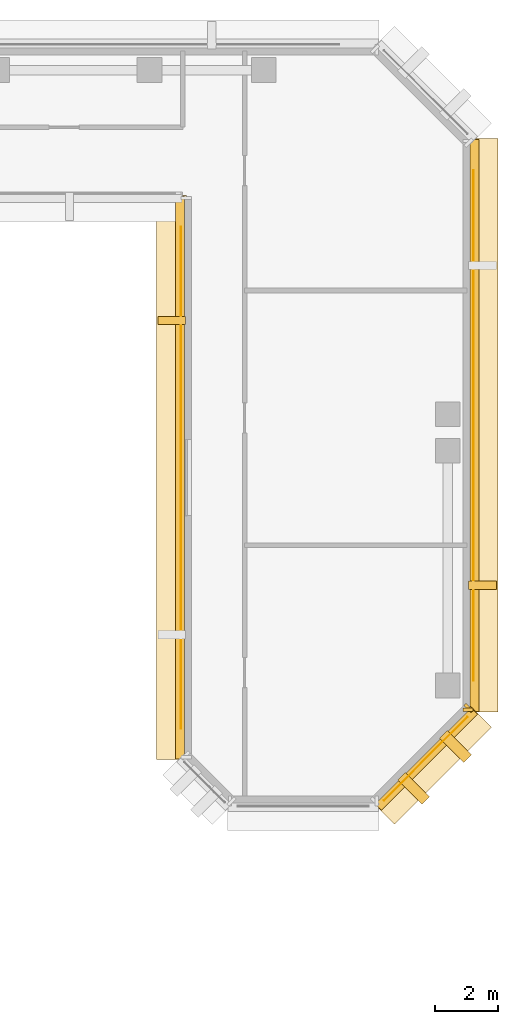
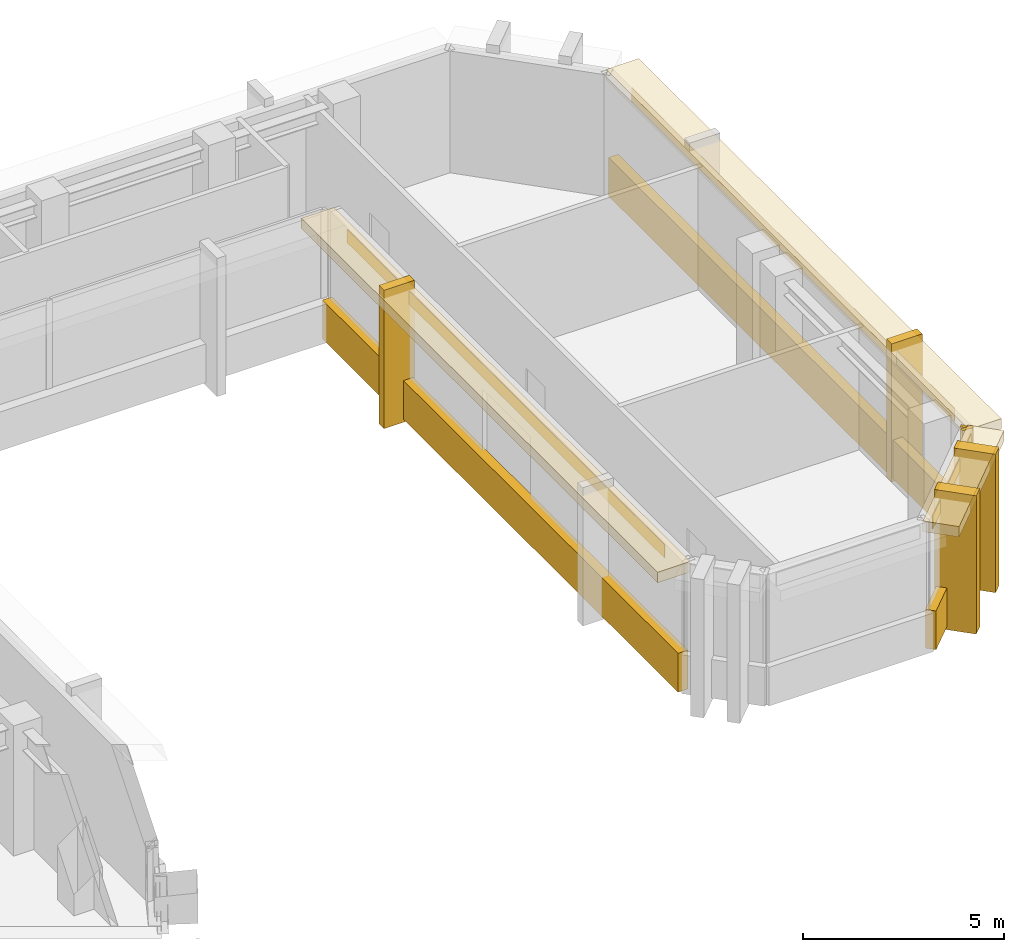
# One storey, part 9 of 11: 15 coverings.
"""IFC4 building model written with IfcOpenShell, lengths in metres."""

from ifc_helpers import new_model, si_unit, direction, frame, origin, origin_2d, place, context, subcontext, project, spatial, rectangle, extrude, material, layer, layer_set, type_object, element, save


model = new_model("IFC4")

# Units and contexts
model_context = context("Model", 3, precision=1e-05, world=origin(), true_north=direction((0.0, 1.0)))
body_context = subcontext(model_context, "Body", "Model", "MODEL_VIEW")
ifc_project = project(units=[si_unit("LENGTHUNIT", "METRE"), si_unit("AREAUNIT", "SQUARE_METRE"), si_unit("VOLUMEUNIT", "CUBIC_METRE"), si_unit("PLANEANGLEUNIT", "RADIAN"), si_unit("MASSUNIT", "GRAM", prefix="KILO")], contexts=[model_context])

# Site, building, storey
site_placement = place(None, origin())
site = spatial("IfcSite", under=ifc_project, at=site_placement, CompositionType="ELEMENT")
building_placement = place(site_placement, origin())
building = spatial("IfcBuilding", under=site, at=building_placement, Name="Kefirva Bronze Tower", CompositionType="ELEMENT")
storey_placement = place(building_placement, frame((0.0, 0.0, 227.699951171875)))
storey = spatial("IfcBuildingStorey", under=building, at=storey_placement, Name="L55", CompositionType="ELEMENT", Elevation=227.699951171875)

# Coverings
ifc_material = material(Name="Bronze anodised aluminium", Category="aluminium")
ifc_layer_1 = layer(ifc_material, 0.02001953125, Name="Bronze anodised aluminium")
ifc_layer_set_1 = layer_set([ifc_layer_1], Name="Bronze anodised aluminium")
covering_type_1 = type_object("IfcCoveringType", Name="Anodised Bronze Spandrel Cladding 20mm", PredefinedType="CLADDING", material=ifc_layer_set_1)
covering_1_placement = place(storey_placement, frame((40.989990234375, 32.35009765625, 3.2900390625), z_axis=(0.0, 0.0, 1.0), x_axis=(0.0, -1.0, 0.0)))
element("IfcCovering", 1, at=covering_1_placement, inside=storey, type_object=covering_type_1, Name="L55 Bronze Spandrel Cladding 5", PredefinedType="CLADDING", context=body_context, shape_type="SweptSolid", body=[
    extrude(rectangle(XDim=15.8310546875, YDim=0.02001953125, at=origin_2d()), origin(), (0.0, 0.0, 1.0), 0.39990234375),
])
covering_2_placement = place(storey_placement, frame((40.9599609375, 32.35009765625, -0.16015625), z_axis=(0.0, 0.0, 1.0), x_axis=(0.0, -1.0, 0.0)))
element("IfcCovering", 2, at=covering_2_placement, inside=storey, type_object=covering_type_1, Name="L55 Streamline Horizontal Spandrel Band 7", PredefinedType="CLADDING", context=body_context, shape_type="SweptSolid", body=[
    extrude(rectangle(XDim=17.739990234375, YDim=0.280029296875, at=origin_2d()), origin(), (0.0, 0.0, 1.0), 1.179931640625),
])
covering_3_placement = place(storey_placement, frame((48.70703125, 23.492919921875, 3.2900390625), z_axis=(0.0, 0.0, 1.0), x_axis=(0.707106781187, 0.707106781187, 0.0)))
element("IfcCovering", 3, at=covering_3_placement, inside=storey, type_object=covering_type_1, Name="L55 Bronze Spandrel Cladding 8", PredefinedType="CLADDING", context=body_context, shape_type="SweptSolid", body=[
    extrude(rectangle(XDim=3.719482421875, YDim=0.02001953125, at=origin_2d()), origin(), (0.0, 0.0, 1.0), 0.39990234375),
])
covering_4_placement = place(storey_placement, frame((50.06201171875, 25.08837890625, 0.0), z_axis=(0.0, 0.0, 1.0), x_axis=(0.707106781187, 0.707106781187, 0.0)))
element("IfcCovering", 4, at=covering_4_placement, inside=storey, type_object=covering_type_1, Name="L55 Facade Joint Closure Panel 8E", PredefinedType="CLADDING", context=body_context, shape_type="SweptSolid", body=[
    extrude(rectangle(XDim=0.10009765625, YDim=0.320068359375, at=origin_2d()), origin(), (0.0, 0.0, 1.0), 3.7099609375),
])
covering_5_placement = place(storey_placement, frame((48.728271484375, 23.4716796875, -0.16015625), z_axis=(0.0, 0.0, 1.0), x_axis=(0.707106781187, 0.707106781187, 0.0)))
element("IfcCovering", 5, at=covering_5_placement, inside=storey, type_object=covering_type_1, Name="L55 Streamline Horizontal Spandrel Band 10", PredefinedType="CLADDING", context=body_context, shape_type="SweptSolid", body=[
    extrude(rectangle(XDim=4.28271484375, YDim=0.280029296875, at=origin_2d()), origin(), (0.0, 0.0, 1.0), 1.179931640625),
])
covering_6_placement = place(storey_placement, frame((50.2099609375, 34.0, 3.2900390625), z_axis=(0.0, 0.0, 1.0), x_axis=(0.0, 1.0, 0.0)))
element("IfcCovering", 6, at=covering_6_placement, inside=storey, type_object=covering_type_1, Name="L55 Bronze Spandrel Cladding 9", PredefinedType="CLADDING", context=body_context, shape_type="SweptSolid", body=[
    extrude(rectangle(XDim=16.10107421875, YDim=0.02001953125, at=origin_2d()), origin(), (0.0, 0.0, 1.0), 0.39990234375),
])
covering_7_placement = place(storey_placement, frame((50.0400390625, 25.034912109375, 0.0), z_axis=(0.0, 0.0, 1.0), x_axis=(0.0, 1.0, 0.0)))
element("IfcCovering", 7, at=covering_7_placement, inside=storey, type_object=covering_type_1, Name="L55 Facade Joint Closure Panel 9S", PredefinedType="CLADDING", context=body_context, shape_type="SweptSolid", body=[
    extrude(rectangle(XDim=0.10009765625, YDim=0.320068359375, at=origin_2d()), origin(), (0.0, 0.0, 1.0), 3.7099609375),
])
covering_8_placement = place(storey_placement, frame((50.239990234375, 34.0, -0.16015625), z_axis=(0.0, 0.0, 1.0), x_axis=(0.0, 1.0, 0.0)))
element("IfcCovering", 8, at=covering_8_placement, inside=storey, type_object=covering_type_1, Name="L55 Streamline Horizontal Spandrel Band 11", PredefinedType="CLADDING", context=body_context, shape_type="SweptSolid", body=[
    extrude(rectangle(XDim=18.0400390625, YDim=0.280029296875, at=origin_2d()), origin(), (0.0, 0.0, 1.0), 1.179931640625),
])
ifc_layer_2 = layer(ifc_material, 0.179931640625, Name="Bronze anodised aluminium")
ifc_layer_set_2 = layer_set([ifc_layer_2], Name="Bronze anodised aluminium")
covering_type_2 = type_object("IfcCoveringType", Name="Streamline Bronze Sunshade Eyebrow Cladding 180mm", PredefinedType="CLADDING", material=ifc_layer_set_2)
covering_9_placement = place(storey_placement, frame((40.68994140625, 32.35009765625, 3.39013671875), z_axis=(0.0, 0.0, 1.0), x_axis=(0.0, -1.0, 0.0)))
element("IfcCovering", 9, at=covering_9_placement, inside=storey, type_object=covering_type_2, Name="L55 Streamline Bronze Sunshade Eyebrow 7", PredefinedType="CLADDING", context=body_context, shape_type="SweptSolid", body=[
    extrude(rectangle(XDim=17.780029296875, YDim=0.93994140625, at=origin_2d()), origin(), (0.0, 0.0, 1.0), 0.320068359375),
])
covering_10_placement = place(storey_placement, frame((48.919189453125, 23.28076171875, 3.39013671875), z_axis=(0.0, 0.0, 1.0), x_axis=(0.707106781187, 0.707106781187, 0.0)))
element("IfcCovering", 10, at=covering_10_placement, inside=storey, type_object=covering_type_2, Name="L55 Streamline Bronze Sunshade Eyebrow 10", PredefinedType="CLADDING", context=body_context, shape_type="SweptSolid", body=[
    extrude(rectangle(XDim=4.322509765625, YDim=0.93994140625, at=origin_2d()), origin(), (0.0, 0.0, 1.0), 0.320068359375),
])
covering_11_placement = place(storey_placement, frame((50.510009765625, 34.0, 3.39013671875), z_axis=(0.0, 0.0, 1.0), x_axis=(0.0, 1.0, 0.0)))
element("IfcCovering", 11, at=covering_11_placement, inside=storey, type_object=covering_type_2, Name="L55 Streamline Bronze Sunshade Eyebrow 11", PredefinedType="CLADDING", context=body_context, shape_type="SweptSolid", body=[
    extrude(rectangle(XDim=18.080078125, YDim=0.93994140625, at=origin_2d()), origin(), (0.0, 0.0, 1.0), 0.320068359375),
])
ifc_layer_3 = layer(ifc_material, 0.260009765625, Name="Bronze anodised aluminium")
ifc_layer_set_3 = layer_set([ifc_layer_3], Name="Bronze anodised aluminium")
covering_type_3 = type_object("IfcCoveringType", Name="Unbroken Bronze Buttress Fin Cladding 260mm", PredefinedType="CLADDING", material=ifc_layer_set_3)
covering_12_placement = place(storey_placement, frame((40.699951171875, 37.305908203125, -0.25), z_axis=(0.0, 0.0, 1.0), x_axis=(0.0, -1.0, 0.0)))
element("IfcCovering", 12, at=covering_12_placement, inside=storey, type_object=covering_type_3, Name="L55 Unbroken Vertical Bronze Rib Fin 13", PredefinedType="CLADDING", context=body_context, shape_type="SweptSolid", body=[
    extrude(rectangle(XDim=0.260009765625, YDim=0.8798828125, at=origin_2d()), origin(), (0.0, 0.0, 1.0), 4.2099609375),
])
for number, where, z_axis, x_axis, name in (
    (13, (48.32275390625, 22.55712890625, -0.25), (0.0, 0.0, 1.0), (0.707106781187, 0.707106781187, 0.0), "L55 Chamfered Corner Buttress Fin Cladding 17"),
    (14, (49.642822265625, 23.877197265625, -0.25), (0.0, 0.0, 1.0), (0.707106781187, 0.707106781187, 0.0), "L55 Chamfered Corner Buttress Fin Cladding 18"),
):
    element("IfcCovering", number, at=place(storey_placement, frame(where, z_axis=z_axis, x_axis=x_axis)), inside=storey, type_object=covering_type_3, Name=name, PredefinedType="CLADDING", context=body_context, shape_type="SweptSolid", body=[
        extrude(rectangle(XDim=0.340087890625, YDim=1.080078125, at=origin_2d()), origin(), (0.0, 0.0, 1.0), 4.2099609375),
    ])
covering_13_placement = place(storey_placement, frame((50.5, 28.9599609375, -0.25), z_axis=(0.0, 0.0, 1.0), x_axis=(0.0, 1.0, 0.0)))
element("IfcCovering", 15, at=covering_13_placement, inside=storey, type_object=covering_type_3, Name="L55 Unbroken Vertical Bronze Rib Fin 19", PredefinedType="CLADDING", context=body_context, shape_type="SweptSolid", body=[
    extrude(rectangle(XDim=0.260009765625, YDim=0.8798828125, at=origin_2d()), origin(), (0.0, 0.0, 1.0), 4.2099609375),
])

save(model, "model.ifc")
